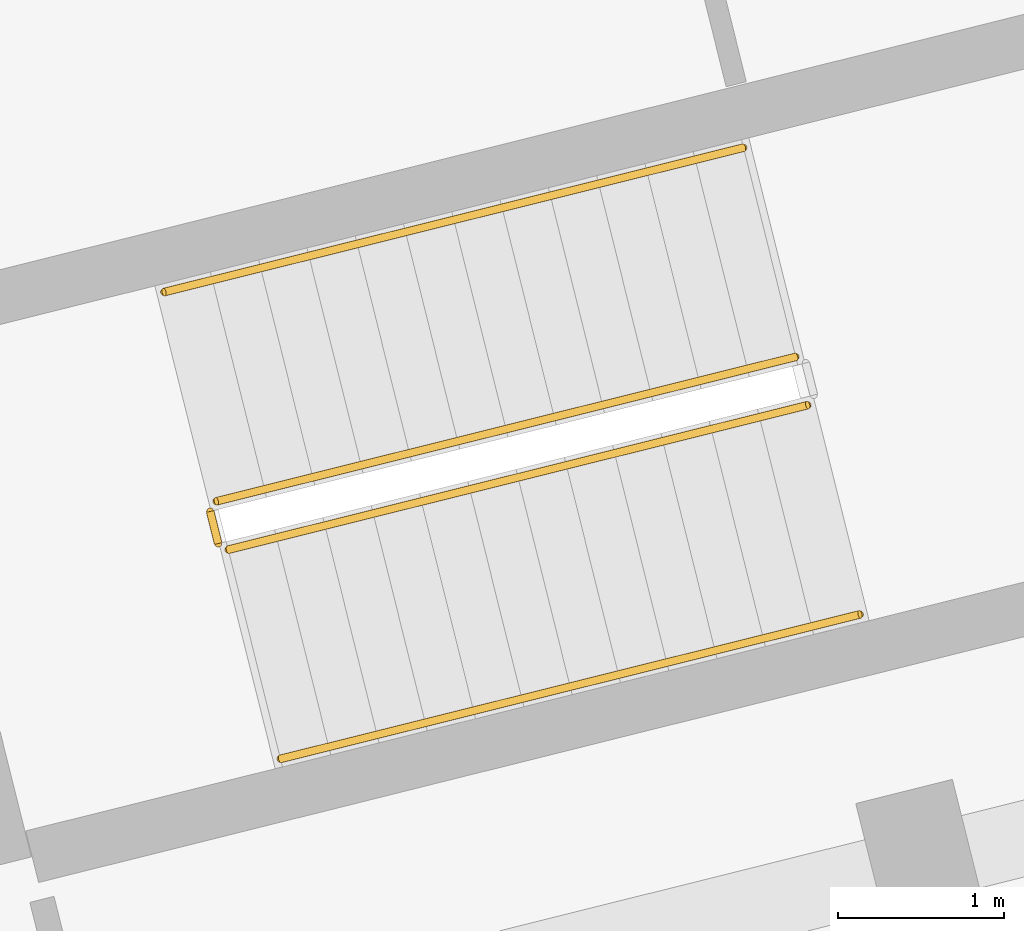
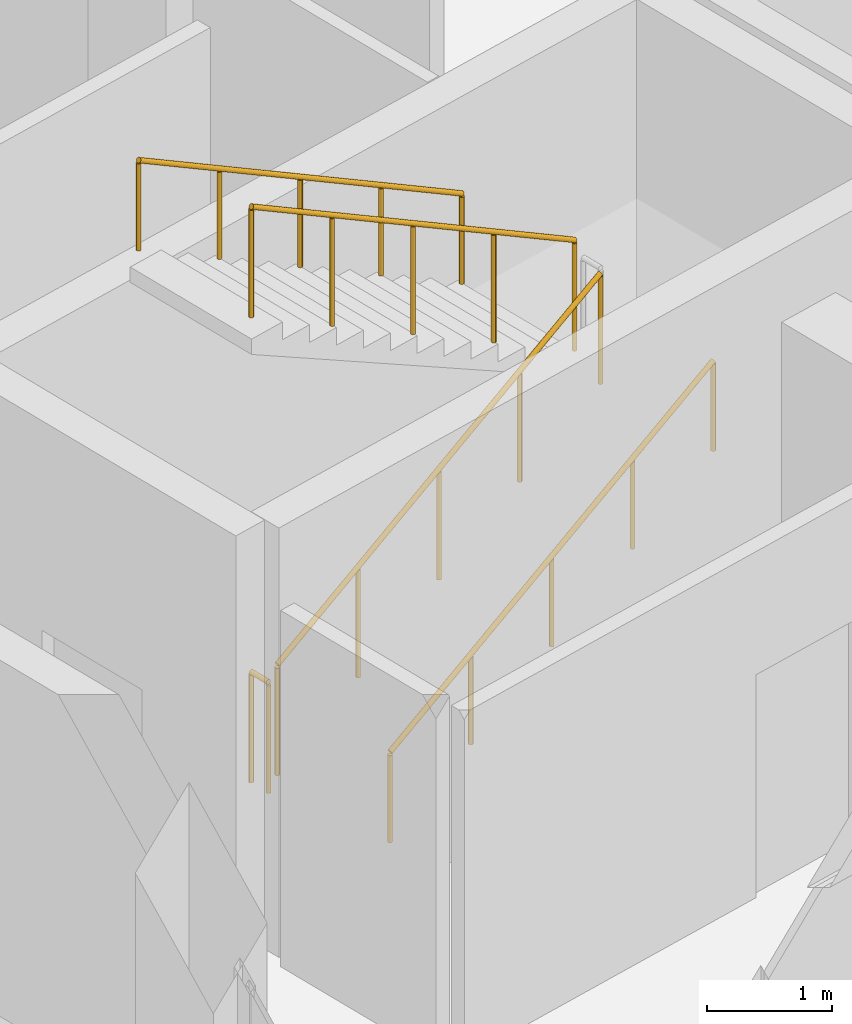
# One storey, part 157 of 164: 5 railings.
"""IFC4 building model written with IfcOpenShell, lengths in metres."""

import ifcopenshell
import ifcopenshell.guid

model = None  # the IFC model being written
_history = None  # IfcOwnerHistory: only IFC2X3 demands one
_inside = {}  # id of a spatial element -> (the spatial element, [elements in it])
_under = {}  # id of a project, library or spatial element -> (it, [spatial elements below it])
_declared = {}  # id of a project -> (the project, [libraries it declares])
_typed = {}  # id of a type object -> (the type object, [elements of that type])
_made_of = {}  # id of a material, layer set ... -> (it, [elements and type objects made of it])


def new_model(schema):
    """Start an empty IFC model of exactly this schema.

    Asked for "IFC4X3", IfcOpenShell would pick the latest addendum, in which some entities
    have other attributes; the version numbers below select the first issue.
    IFC2X3 requires an IfcOwnerHistory on every rooted entity: one is made here for all.
    """
    global model, _history
    if schema == "IFC4X3":
        model = ifcopenshell.file(schema_version=(4, 3, 0, 0))
    else:
        model = ifcopenshell.file(schema=schema)
    _inside.clear()
    _under.clear()
    _declared.clear()
    _typed.clear()
    _made_of.clear()
    _history = None
    if model.schema == "IFC2X3":
        org = make("IfcOrganization", Name="unknown")
        user = make(
            "IfcPersonAndOrganization",
            ThePerson=make("IfcPerson", FamilyName="unknown"),
            TheOrganization=org,
        )
        app = make(
            "IfcApplication",
            ApplicationDeveloper=org,
            Version="unknown",
            ApplicationFullName="unknown",
            ApplicationIdentifier="unknown",
        )
        _history = make(
            "IfcOwnerHistory",
            OwningUser=user,
            OwningApplication=app,
            ChangeAction="ADDED",
            CreationDate=0,
        )
    return model


def make(cls, **values):
    """One entity of the class cls with the attributes given. An attribute that is None is left unset."""
    return model.create_entity(
        cls, **{name: value for name, value in values.items() if value is not None}
    )


def rooted(cls, **values):
    """An entity with a GlobalId (a new one), such as an element, a storey or a relation."""
    return make(cls, GlobalId=ifcopenshell.guid.new(), OwnerHistory=_history, **values)


def si_unit(unit_type, name, prefix=None):
    """IfcSIUnit, for example si_unit("LENGTHUNIT", "METRE", prefix="MILLI")."""
    return make("IfcSIUnit", UnitType=unit_type, Prefix=prefix, Name=name)


def assignment(units):
    """IfcUnitAssignment: the units of a project."""
    return None if units is None else make("IfcUnitAssignment", Units=units)


def point(xyz):
    """IfcCartesianPoint."""
    return None if xyz is None else make("IfcCartesianPoint", Coordinates=xyz)


def direction(xyz):
    """IfcDirection."""
    return None if xyz is None else make("IfcDirection", DirectionRatios=xyz)


def frame(location, z_axis=None, x_axis=None):
    """IfcAxis2Placement3D, a coordinate frame: its origin and axes. An axis left out is left unset."""
    return make(
        "IfcAxis2Placement3D",
        Location=point(location),
        Axis=direction(z_axis),
        RefDirection=direction(x_axis),
    )


def frame_2d(location, x_axis=None):
    """IfcAxis2Placement2D, a coordinate frame in the plane: its origin and x axis."""
    return make(
        "IfcAxis2Placement2D", Location=point(location), RefDirection=direction(x_axis)
    )


def origin():
    """The frame at (0, 0, 0) with its axes left unset."""
    return frame((0.0, 0.0, 0.0))


def origin_2d():
    """The frame at (0, 0) in the plane with its x axis left unset."""
    return frame_2d((0.0, 0.0))


def place(relative_to, where):
    """IfcLocalPlacement: puts the frame where relative to a parent placement (None: the world)."""
    return make(
        "IfcLocalPlacement", PlacementRelTo=relative_to, RelativePlacement=where
    )


def context(
    kind, dimensions, precision=None, world=None, true_north=None, identifier=None
):
    """IfcGeometricRepresentationContext, for example the 3D "Model" context."""
    return make(
        "IfcGeometricRepresentationContext",
        ContextIdentifier=identifier,
        ContextType=kind,
        CoordinateSpaceDimension=dimensions,
        Precision=precision,
        WorldCoordinateSystem=world,
        TrueNorth=true_north,
    )


def subcontext(parent, identifier, kind, view, scale=None):
    """IfcGeometricRepresentationSubContext, for example "Body" below "Model"."""
    return make(
        "IfcGeometricRepresentationSubContext",
        ContextIdentifier=identifier,
        ContextType=kind,
        ParentContext=parent,
        TargetScale=scale,
        TargetView=view,
    )


def project(units=None, contexts=None):
    """IfcProject with its units and contexts."""
    return rooted(
        "IfcProject",
        Name="project",
        RepresentationContexts=contexts,
        UnitsInContext=assignment(units),
    )


def spatial(cls, under=None, at=None, **own):
    """A site, building, storey or space (cls), placed at a placement, below another one or the project."""
    s = rooted(cls, ObjectPlacement=at, **own)
    if under is not None:
        _under.setdefault(under.id(), (under, []))[1].append(s)
    return s


def profile(cls, at=None, kind="AREA", **sizes):
    """A parametric profile (cls). Its sizes go by their IFC names, for example OverallWidth=200.0."""
    return make(cls, ProfileType=kind, Position=at, **sizes)


def circle(**sizes):
    """IfcCircleProfileDef."""
    return profile("IfcCircleProfileDef", **sizes)


def extrude(swept, where, along, depth):
    """IfcExtrudedAreaSolid: the profile swept, set in the frame where, extruded along a direction by depth."""
    return make(
        "IfcExtrudedAreaSolid",
        SweptArea=swept,
        Position=where,
        ExtrudedDirection=direction(along),
        Depth=depth,
    )


def shape(context_of_items, identifier, shape_type, items):
    """IfcShapeRepresentation: the items that make up one representation, for example the "Body"."""
    return make(
        "IfcShapeRepresentation",
        ContextOfItems=context_of_items,
        RepresentationIdentifier=identifier,
        RepresentationType=shape_type,
        Items=items,
    )


def material(Name=None, Category=None):
    """IfcMaterial."""
    return make("IfcMaterial", Name=Name, Category=Category)


def made_of(thing, what):
    """Note that an element or type object is made of a material, layer set ...; save() writes the relation."""
    if what is not None:
        _made_of.setdefault(what.id(), (what, []))[1].append(thing)
    return thing


def type_object(cls, material=None, **own):
    """A type object (cls), such as IfcWallType, which elements share."""
    return made_of(rooted(cls, **own), material)


def element(
    cls,
    number,
    at=None,
    inside=None,
    cuts=None,
    type_object=None,
    material=None,
    context=None,
    identifier="Body",
    shape_type=None,
    held_by="IfcProductDefinitionShape",
    body=None,
    shapes=None,
    **own,
):
    """One element of the class cls, such as IfcWall. Its Tag is "e" and its number.

    at: its placement. inside: the storey or other place that contains it. cuts: it is an
    opening in that element (IfcRelVoidsElement). A single representation is given by context,
    identifier, shape_type and body (its items); several are given by shapes. held_by: the class
    of the entity that holds the representations. save() writes the other relations.
    """
    e = rooted(cls, Tag="e%d" % number, ObjectPlacement=at, **own)
    if body is not None:
        shapes = [shape(context, identifier, shape_type, body)]
    if shapes is not None:
        e.Representation = make(held_by, Representations=shapes)
    if inside is not None:
        _inside.setdefault(inside.id(), (inside, []))[1].append(e)
    if cuts is not None:
        rooted(
            "IfcRelVoidsElement", RelatingBuildingElement=cuts, RelatedOpeningElement=e
        )
    if type_object is not None:
        _typed.setdefault(type_object.id(), (type_object, []))[1].append(e)
    return made_of(e, material)


def aggregate(whole, parts):
    """IfcRelAggregates: a whole, such as a stair, and the parts it consists of."""
    return rooted("IfcRelAggregates", RelatingObject=whole, RelatedObjects=parts)


def save(model, path):
    """Write the relations noted so far, then the file.

    IfcRelAggregates (storeys below a building ...), IfcRelContainedInSpatialStructure (elements
    in a storey), IfcRelDefinesByType, IfcRelAssociatesMaterial and IfcRelDeclares: one each for
    every whole, place, type object, material and project.
    """
    for whole, parts in _under.values():
        aggregate(whole, parts)
    for where, things in _inside.values():
        rooted(
            "IfcRelContainedInSpatialStructure",
            RelatedElements=things,
            RelatingStructure=where,
        )
    for kind, things in _typed.values():
        rooted("IfcRelDefinesByType", RelatedObjects=things, RelatingType=kind)
    for what, things in _made_of.values():
        rooted("IfcRelAssociatesMaterial", RelatedObjects=things, RelatingMaterial=what)
    for by, libraries in _declared.values():
        rooted("IfcRelDeclares", RelatingContext=by, RelatedDefinitions=libraries)
    model.write(path)


model = new_model("IFC4")

# Units and contexts
model_context = context("Model", 3, precision=1e-05, world=origin(), true_north=direction((0.0, 1.0)))
body_context = subcontext(model_context, "Body", "Model", "MODEL_VIEW")
ifc_project = project(units=[si_unit("LENGTHUNIT", "METRE"), si_unit("AREAUNIT", "SQUARE_METRE"), si_unit("VOLUMEUNIT", "CUBIC_METRE"), si_unit("PLANEANGLEUNIT", "RADIAN"), si_unit("MASSUNIT", "GRAM", prefix="KILO")], contexts=[model_context])

# Site, building, storey
site_placement = place(None, origin())
site = spatial("IfcSite", under=ifc_project, at=site_placement, CompositionType="ELEMENT")
building_placement = place(site_placement, origin())
building = spatial("IfcBuilding", under=site, at=building_placement, Name="Mawjan Specialist Oncology Clinic", CompositionType="ELEMENT")
storey_placement = place(building_placement, frame((0.0, 0.0, 5.0)))
storey = spatial("IfcBuildingStorey", under=building, at=storey_placement, Name="L01", CompositionType="ELEMENT", Elevation=5.0)

# Railings
ifc_material_1 = material(Name="Powder-coated steel stair guard with vertical infill pickets", Category="steel")
railing_type_1 = type_object("IfcRailingType", Name="GR-110", PredefinedType="GUARDRAIL", material=ifc_material_1)
railing_1_placement = place(storey_placement, frame((124.932861328125, 19.9609375, 0.173095703125)))
element("IfcRailing", 1, at=railing_1_placement, inside=storey, type_object=railing_type_1, Name="L01 ST-05 stair guard 1", PredefinedType="GUARDRAIL", context=body_context, shape_type="SweptSolid", body=[
    extrude(circle(Radius=0.02392578125, at=origin_2d()), frame((0.0, 0.0, 1.076171875), z_axis=(0.840440433632, 0.209596104508, 0.499729277201), x_axis=(-0.241977078005, 0.97028196609, 0.0)), (0.0, 0.0, 1.0), 4.156005859375),
    extrude(circle(Radius=0.02099609375, at=origin_2d()), origin(), (0.0, 0.0, 1.0), 1.052001953125),
    extrude(circle(Radius=0.02099609375, at=origin_2d()), frame((0.873291015625, 0.2177734375, 0.519287109375)), (0.0, 0.0, 1.0), 1.052001953125),
    extrude(circle(Radius=0.02099609375, at=origin_2d()), frame((1.74658203125, 0.435546875, 1.03857421875)), (0.0, 0.0, 1.0), 1.052001953125),
    extrude(circle(Radius=0.02099609375, at=origin_2d()), frame((2.61962890625, 0.6533203125, 1.5576171875)), (0.0, 0.0, 1.0), 1.052001953125),
    extrude(circle(Radius=0.02099609375, at=origin_2d()), frame((3.492919921875, 0.87109375, 2.076904296875)), (0.0, 0.0, 1.0), 1.052001953125),
])
railing_2_placement = place(storey_placement, frame((128.353271484375, 21.123046875, 2.423095703125)))
element("IfcRailing", 2, at=railing_2_placement, inside=storey, type_object=railing_type_1, Name="L01 ST-05 stair guard 3", PredefinedType="GUARDRAIL", context=body_context, shape_type="SweptSolid", body=[
    extrude(circle(Radius=0.02392578125, at=origin_2d()), frame((0.0, 0.0, 1.076171875), z_axis=(-0.840450780184, -0.209539940792, 0.499735429302), x_axis=(0.241913228726, -0.970297887129, 0.0)), (0.0, 0.0, 1.0), 4.156005859375),
    extrude(circle(Radius=0.02099609375, at=origin_2d()), origin(), (0.0, 0.0, 1.0), 1.052001953125),
    extrude(circle(Radius=0.02099609375, at=origin_2d()), frame((-0.873291015625, -0.2177734375, 0.519287109375)), (0.0, 0.0, 1.0), 1.052001953125),
    extrude(circle(Radius=0.02099609375, at=origin_2d()), frame((-1.74658203125, -0.435546875, 1.03857421875)), (0.0, 0.0, 1.0), 1.052001953125),
    extrude(circle(Radius=0.02099609375, at=origin_2d()), frame((-2.61962890625, -0.653076171875, 1.5576171875)), (0.0, 0.0, 1.0), 1.052001953125),
    extrude(circle(Radius=0.02099609375, at=origin_2d()), frame((-3.492919921875, -0.870849609375, 2.076904296875)), (0.0, 0.0, 1.0), 1.052001953125),
])
railing_3_placement = place(storey_placement, frame((124.872314453125, 19.997314453125, 0.0)))
element("IfcRailing", 3, at=railing_3_placement, inside=storey, type_object=railing_type_1, Name="L01 ST-05 stair guard 4", PredefinedType="GUARDRAIL", context=body_context, shape_type="SweptSolid", body=[
    extrude(circle(Radius=0.02392578125, at=origin_2d()), frame((0.0, 0.0, 1.076171875), z_axis=(-0.242822723755, 0.970070680326, 0.0), x_axis=(-0.970070680326, -0.242822723755, 0.0)), (0.0, 0.0, 1.0), 0.2001953125),
    extrude(circle(Radius=0.02099609375, at=origin_2d()), origin(), (0.0, 0.0, 1.0), 1.052001953125),
    extrude(circle(Radius=0.02099609375, at=origin_2d()), frame((-0.048583984375, 0.194091796875, 0.0)), (0.0, 0.0, 1.0), 1.052001953125),
])
ifc_material_2 = material(Name="Brushed stainless-steel tubular handrail", Category="steel")
railing_type_2 = type_object("IfcRailingType", Name="HR-090", PredefinedType="HANDRAIL", material=ifc_material_2)
railing_4_placement = place(storey_placement, frame((125.247314453125, 18.69970703125, 0.173095703125)))
element("IfcRailing", 4, at=railing_4_placement, inside=storey, type_object=railing_type_2, Name="L01 ST-05 stair handrail 1", PredefinedType="HANDRAIL", context=body_context, shape_type="SweptSolid", body=[
    extrude(circle(Radius=0.02392578125, at=origin_2d()), frame((0.0, 0.0, 0.8759765625), z_axis=(0.840468028649, 0.209529595904, 0.499710757598), x_axis=(-0.241897310542, 0.970301855688, 0.0)), (0.0, 0.0, 1.0), 4.15625),
    extrude(circle(Radius=0.02099609375, at=origin_2d()), origin(), (0.0, 0.0, 1.0), 0.851806640625),
    extrude(circle(Radius=0.02099609375, at=origin_2d()), frame((0.873291015625, 0.2177734375, 0.519287109375)), (0.0, 0.0, 1.0), 0.851806640625),
    extrude(circle(Radius=0.02099609375, at=origin_2d()), frame((1.74658203125, 0.435546875, 1.03857421875)), (0.0, 0.0, 1.0), 0.851806640625),
    extrude(circle(Radius=0.02099609375, at=origin_2d()), frame((2.619873046875, 0.653076171875, 1.5576171875)), (0.0, 0.0, 1.0), 0.851806640625),
    extrude(circle(Radius=0.02099609375, at=origin_2d()), frame((3.4931640625, 0.870849609375, 2.076904296875)), (0.0, 0.0, 1.0), 0.851806640625),
])
railing_5_placement = place(storey_placement, frame((128.038818359375, 22.38427734375, 2.423095703125)))
element("IfcRailing", 5, at=railing_5_placement, inside=storey, type_object=railing_type_2, Name="L01 ST-05 stair handrail 2", PredefinedType="HANDRAIL", context=body_context, shape_type="SweptSolid", body=[
    extrude(circle(Radius=0.02392578125, at=origin_2d()), frame((0.0, 0.0, 0.8759765625), z_axis=(-0.840468028649, -0.209529595904, 0.499710757598), x_axis=(0.241897310542, -0.970301855688, 0.0)), (0.0, 0.0, 1.0), 4.15625),
    extrude(circle(Radius=0.02099609375, at=origin_2d()), origin(), (0.0, 0.0, 1.0), 0.851806640625),
    extrude(circle(Radius=0.02099609375, at=origin_2d()), frame((-0.873291015625, -0.2177734375, 0.519287109375)), (0.0, 0.0, 1.0), 0.851806640625),
    extrude(circle(Radius=0.02099609375, at=origin_2d()), frame((-1.74658203125, -0.435546875, 1.03857421875)), (0.0, 0.0, 1.0), 0.851806640625),
    extrude(circle(Radius=0.02099609375, at=origin_2d()), frame((-2.619873046875, -0.653076171875, 1.5576171875)), (0.0, 0.0, 1.0), 0.851806640625),
    extrude(circle(Radius=0.02099609375, at=origin_2d()), frame((-3.4931640625, -0.870849609375, 2.076904296875)), (0.0, 0.0, 1.0), 0.851806640625),
])

save(model, "model.ifc")
